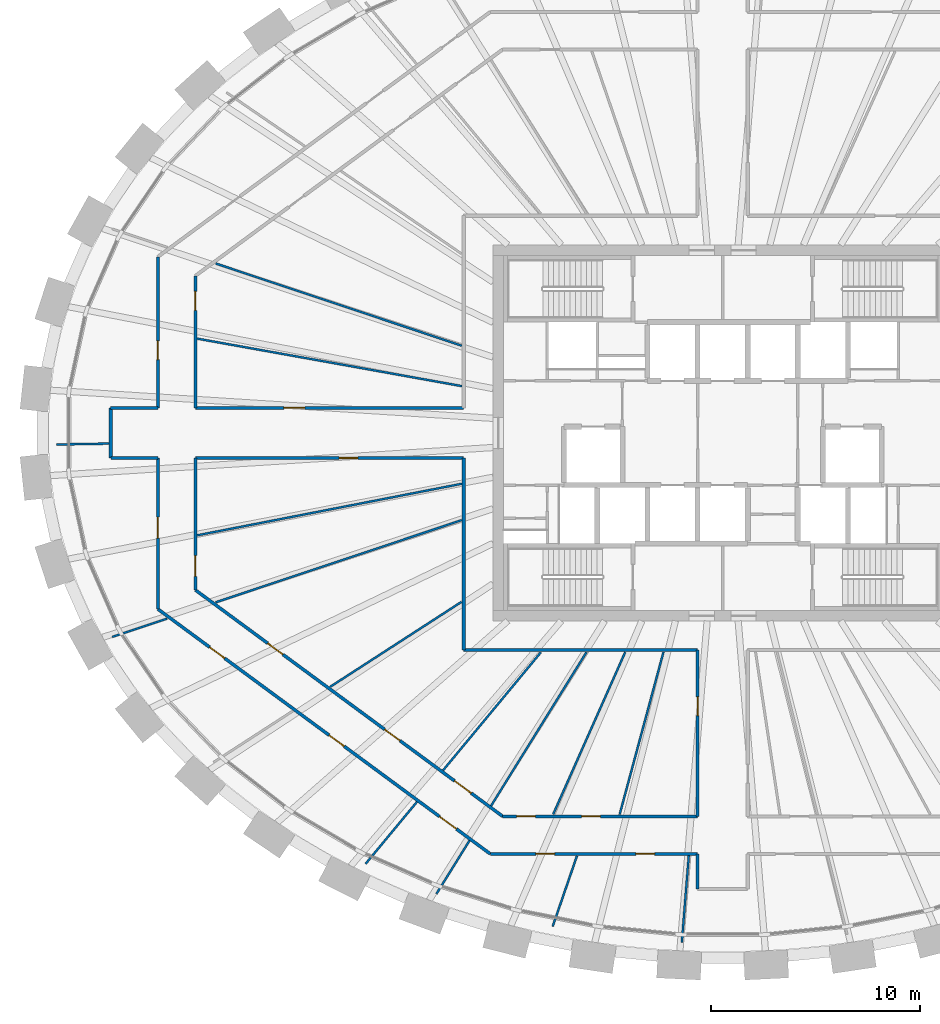
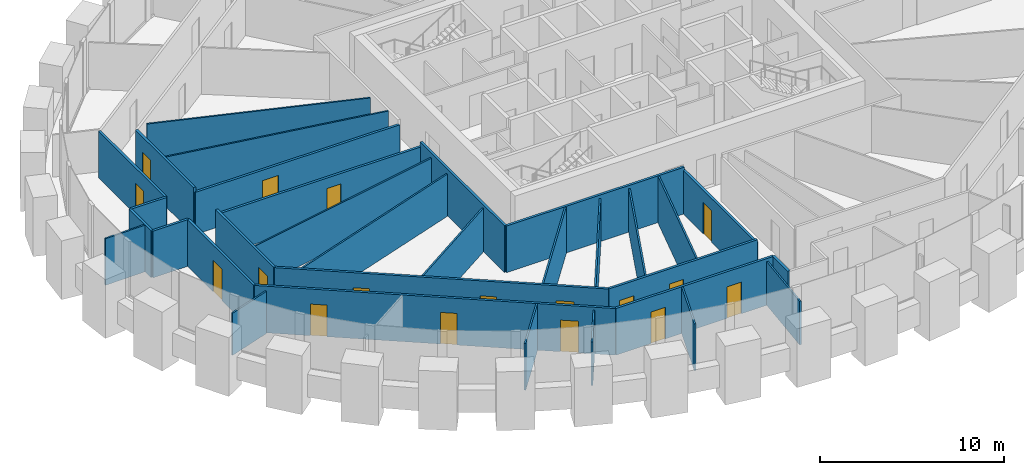
# One storey, part 6 of 12: 32 walls, 17 doors, 17 openings.
"""IFC4 building model written with IfcOpenShell, lengths in metres."""

from ifc_helpers import new_model, si_unit, direction, frame, frame_2d, origin, place, context, subcontext, project, spatial, rectangle, extrude, source, transform, mapped, material, layer, layer_set, type_object, element, fill, save


model = new_model("IFC4")

# Units and contexts
model_context = context("Model", 3, precision=1e-05, world=origin(), true_north=direction((0.0, 1.0)))
body_context = subcontext(model_context, "Body", "Model", "MODEL_VIEW")
ifc_project = project(units=[si_unit("LENGTHUNIT", "METRE"), si_unit("AREAUNIT", "SQUARE_METRE"), si_unit("VOLUMEUNIT", "CUBIC_METRE"), si_unit("PLANEANGLEUNIT", "RADIAN"), si_unit("MASSUNIT", "GRAM", prefix="KILO")], contexts=[model_context])

# Site, building, storey
site_placement = place(None, origin())
site = spatial("IfcSite", under=ifc_project, at=site_placement, CompositionType="ELEMENT")
building_placement = place(site_placement, origin())
building = spatial("IfcBuilding", under=site, at=building_placement, Name="Embergate Tower", CompositionType="ELEMENT")
storey_placement = place(building_placement, frame((0.0, 0.0, 265.60009765625)))
storey = spatial("IfcBuildingStorey", under=building, at=storey_placement, Name="L61", CompositionType="ELEMENT", Elevation=265.60009765625)

# Walls
ifc_material_1 = material(Name="Corridor wall dry-lined 150")
ifc_layer_1 = layer(ifc_material_1, 0.14990234375)
ifc_layer_set_1 = layer_set([ifc_layer_1], Name="Corridor wall dry-lined 150")
wall_type_1 = type_object("IfcWallType", Name="Corridor wall dry-lined 150", PredefinedType="PARTITIONING", material=ifc_layer_set_1)
shared_shape_1 = source(origin(), body_context, "Body", "SweptSolid", [
    extrude(rectangle(XDim=2.39990234375, YDim=0.14990234375, at=frame_2d((1.199951171875, 0.0))), origin(), (0.0, 0.0, 1.0), 3.099853515625),
])
wall_1_placement = place(storey_placement, frame((-29.300048828125, -1.199951171875, 0.0), z_axis=(0.0, 0.0, 1.0), x_axis=(0.0, 1.0, 0.0)))
element("IfcWall", 1, at=wall_1_placement, inside=storey, type_object=wall_type_1, Name="IP-2 wall", PredefinedType="PARTITIONING", context=body_context, shape_type="MappedRepresentation", body=[
    mapped(shared_shape_1, transform((0.0, 0.0, 0.0))),
])
shared_shape_2 = source(origin(), body_context, "Body", "SweptSolid", [
    extrude(rectangle(XDim=9.199951171875, YDim=0.14990234375, at=frame_2d((4.60009765625, 0.0))), origin(), (0.0, 0.0, 1.0), 3.099853515625),
])
wall_2_placement = place(storey_placement, frame((-12.39990234375, -10.39990234375, 0.0), z_axis=(0.0, 0.0, 1.0), x_axis=(0.0, 1.0, 0.0)))
element("IfcWall", 2, at=wall_2_placement, inside=storey, type_object=wall_type_1, Name="IP-2 wall", PredefinedType="PARTITIONING", context=body_context, shape_type="MappedRepresentation", body=[
    mapped(shared_shape_2, transform((0.0, 0.0, 0.0))),
])
shared_shape_3 = source(origin(), body_context, "Body", "SweptSolid", [
    extrude(rectangle(XDim=11.199951171875, YDim=0.14990234375, at=frame_2d((5.60009765625, 0.0))), origin(), (0.0, 0.0, 1.0), 3.099853515625),
])
wall_3_placement = place(storey_placement, frame((-12.39990234375, -10.39990234375, 0.0), z_axis=(0.0, 0.0, 1.0), x_axis=(1.0, 0.0, 0.0)))
element("IfcWall", 3, at=wall_3_placement, inside=storey, type_object=wall_type_1, Name="IP-2 wall", PredefinedType="PARTITIONING", context=body_context, shape_type="MappedRepresentation", body=[
    mapped(shared_shape_3, transform((0.0, 0.0, 0.0))),
])

# Wall, openings, doors
shared_shape_4 = source(origin(), body_context, "Body", "SweptSolid", [
    extrude(rectangle(XDim=19.77294921875, YDim=0.14990234375, at=frame_2d((9.886474609375, 0.0))), origin(), (0.0, 0.0, 1.0), 3.099853515625),
])
wall_4_placement = place(storey_placement, frame((-11.1259765625, -20.158935546875, 0.0), z_axis=(0.0, 0.0, 1.0), x_axis=(-0.805138380898, 0.593086998344, 0.0)))
wall_4 = element("IfcWall", 4, at=wall_4_placement, inside=storey, type_object=wall_type_1, Name="IP-2 wall", PredefinedType="PARTITIONING", context=body_context, shape_type="MappedRepresentation", body=[
    mapped(shared_shape_4, transform((0.0, 0.0, 0.0))),
])
shared_shape_5 = source(origin(), body_context, "Body", "SweptSolid", [
    extrude(rectangle(XDim=0.89990234375, YDim=2.10009765625, at=frame_2d((0.449951171875, 1.050048828125))), frame((0.0, 0.0849609375, 0.0), z_axis=(0.0, -1.0, 0.0), x_axis=(1.0, 0.0, 0.0)), (0.0, 0.0, 1.0), 0.169921875),
])
opening_1_placement = place(wall_4_placement, frame((15.79248046875, 0.0, 0.0)))
opening_1 = element("IfcOpeningElement", 5, at=opening_1_placement, cuts=wall_4, Name="Opening IF-1c", PredefinedType="OPENING", context=body_context, shape_type="MappedRepresentation", body=[
    mapped(shared_shape_5, transform((0.0, 0.0, 0.0))),
])
opening_2_placement = place(wall_4_placement, frame((8.685546875, 0.0, 0.0)))
opening_2 = element("IfcOpeningElement", 6, at=opening_2_placement, cuts=wall_4, Name="Opening IF-1c", PredefinedType="OPENING", context=body_context, shape_type="MappedRepresentation", body=[
    mapped(shared_shape_5, transform((0.0, 0.0, 0.0))),
])
shared_shape_6 = source(origin(), body_context, "Body", "SweptSolid", [
    extrude(rectangle(XDim=1.0, YDim=2.10009765625, at=frame_2d((0.5, 1.050048828125))), frame((0.0, 0.0849609375, 0.0), z_axis=(0.0, -1.0, 0.0), x_axis=(1.0, 0.0, 0.0)), (0.0, 0.0, 1.0), 0.169921875),
])
opening_3_placement = place(wall_4_placement, frame((2.017822265625, 0.0, 0.0)))
opening_3 = element("IfcOpeningElement", 7, at=opening_3_placement, cuts=wall_4, Name="Opening ID-2", PredefinedType="OPENING", context=body_context, shape_type="MappedRepresentation", body=[
    mapped(shared_shape_6, transform((0.0, 0.0, 0.0))),
])
ifc_material_2 = material(Name="Escape fire door 900")
door_type_1 = type_object("IfcDoorType", Name="Escape fire door 900", OperationType="SINGLE_SWING_LEFT", PredefinedType="DOOR", material=ifc_material_2)
shared_shape_7 = source(origin(), body_context, "Body", "SweptSolid", [
    extrude(rectangle(XDim=0.89990234375, YDim=2.10009765625, at=frame_2d((0.449951171875, 1.050048828125))), frame((0.0, 0.02490234375, 0.0), z_axis=(0.0, -1.0, 0.0), x_axis=(1.0, 0.0, 0.0)), (0.0, 0.0, 1.0), 0.050048828125),
])
door_1_placement = place(opening_1_placement, origin())
door_1 = element("IfcDoor", 8, at=door_1_placement, inside=storey, type_object=door_type_1, Name="IF-1 door", OperationType="SINGLE_SWING_LEFT", OverallHeight=2.10009765625, OverallWidth=0.89990234375, PredefinedType="DOOR", context=body_context, shape_type="MappedRepresentation", body=[
    mapped(shared_shape_7, transform((0.0, 0.0, 0.0))),
])
fill(opening_1, door_1)
door_2_placement = place(opening_2_placement, origin())
door_2 = element("IfcDoor", 9, at=door_2_placement, inside=storey, type_object=door_type_1, Name="IF-1 door", OperationType="SINGLE_SWING_LEFT", OverallHeight=2.10009765625, OverallWidth=0.89990234375, PredefinedType="DOOR", context=body_context, shape_type="MappedRepresentation", body=[
    mapped(shared_shape_7, transform((0.0, 0.0, 0.0))),
])
fill(opening_2, door_2)
ifc_material_3 = material(Name="Interior door 1000")
door_type_2 = type_object("IfcDoorType", Name="Interior door 1000", OperationType="SINGLE_SWING_LEFT", PredefinedType="DOOR", material=ifc_material_3)
shared_shape_8 = source(origin(), body_context, "Body", "SweptSolid", [
    extrude(rectangle(XDim=1.0, YDim=2.10009765625, at=frame_2d((0.5, 1.050048828125))), frame((0.0, 0.02490234375, 0.0), z_axis=(0.0, -1.0, 0.0), x_axis=(1.0, 0.0, 0.0)), (0.0, 0.0, 1.0), 0.050048828125),
])
door_3_placement = place(opening_3_placement, origin())
door_3 = element("IfcDoor", 10, at=door_3_placement, inside=storey, type_object=door_type_2, Name="ID-2 door", OperationType="SINGLE_SWING_LEFT", OverallHeight=2.10009765625, OverallWidth=1.0, PredefinedType="DOOR", context=body_context, shape_type="MappedRepresentation", body=[
    mapped(shared_shape_8, transform((0.0, 0.0, 0.0))),
])
fill(opening_3, door_3)

shared_shape_9 = source(origin(), body_context, "Body", "SweptSolid", [
    extrude(rectangle(XDim=18.27197265625, YDim=0.14990234375, at=frame_2d((9.135986328125, 0.0))), origin(), (0.0, 0.0, 1.0), 3.099853515625),
])
wall_5_placement = place(storey_placement, frame((-25.24609375, -7.52294921875, 0.0), z_axis=(0.0, 0.0, 1.0), x_axis=(0.805176050135, -0.593035857507, 0.0)))
wall_5 = element("IfcWall", 11, at=wall_5_placement, inside=storey, type_object=wall_type_1, Name="IP-2 wall", PredefinedType="PARTITIONING", context=body_context, shape_type="MappedRepresentation", body=[
    mapped(shared_shape_9, transform((0.0, 0.0, 0.0))),
])
opening_4_placement = place(wall_5_placement, frame((4.302734375, 0.0, 0.0)))
opening_4 = element("IfcOpeningElement", 12, at=opening_4_placement, cuts=wall_5, Name="Opening IF-1c", PredefinedType="OPENING", context=body_context, shape_type="MappedRepresentation", body=[
    mapped(shared_shape_5, transform((0.0, 0.0, 0.0))),
])
opening_5_placement = place(wall_5_placement, frame((11.257080078125, 0.0, 0.0)))
opening_5 = element("IfcOpeningElement", 13, at=opening_5_placement, cuts=wall_5, Name="Opening IF-1c", PredefinedType="OPENING", context=body_context, shape_type="MappedRepresentation", body=[
    mapped(shared_shape_5, transform((0.0, 0.0, 0.0))),
])
opening_6_placement = place(wall_5_placement, frame((15.406005859375, 0.0, 0.0)))
opening_6 = element("IfcOpeningElement", 14, at=opening_6_placement, cuts=wall_5, Name="Opening ID-2", PredefinedType="OPENING", context=body_context, shape_type="MappedRepresentation", body=[
    mapped(shared_shape_6, transform((0.0, 0.0, 0.0))),
])
door_4_placement = place(opening_4_placement, origin())
door_4 = element("IfcDoor", 15, at=door_4_placement, inside=storey, type_object=door_type_1, Name="IF-1 door", OperationType="SINGLE_SWING_RIGHT", OverallHeight=2.10009765625, OverallWidth=0.89990234375, PredefinedType="DOOR", context=body_context, shape_type="MappedRepresentation", body=[
    mapped(shared_shape_7, transform((0.0, 0.0, 0.0))),
])
fill(opening_4, door_4)
door_5_placement = place(opening_5_placement, origin())
door_5 = element("IfcDoor", 16, at=door_5_placement, inside=storey, type_object=door_type_1, Name="IF-1 door", OperationType="SINGLE_SWING_RIGHT", OverallHeight=2.10009765625, OverallWidth=0.89990234375, PredefinedType="DOOR", context=body_context, shape_type="MappedRepresentation", body=[
    mapped(shared_shape_7, transform((0.0, 0.0, 0.0))),
])
fill(opening_5, door_5)
door_6_placement = place(opening_6_placement, origin())
door_6 = element("IfcDoor", 17, at=door_6_placement, inside=storey, type_object=door_type_2, Name="ID-2 door", OperationType="SINGLE_SWING_RIGHT", OverallHeight=2.10009765625, OverallWidth=1.0, PredefinedType="DOOR", context=body_context, shape_type="MappedRepresentation", body=[
    mapped(shared_shape_8, transform((0.0, 0.0, 0.0))),
])
fill(opening_6, door_6)

ifc_material_4 = material(Name="Corridor wall dry-lined 150 wet")
ifc_layer_2 = layer(ifc_material_4, 0.14990234375)
ifc_layer_set_2 = layer_set([ifc_layer_2], Name="Corridor wall dry-lined 150 wet")
wall_type_2 = type_object("IfcWallType", Name="Corridor wall dry-lined 150 wet", PredefinedType="PLUMBINGWALL", material=ifc_layer_set_2)
shared_shape_10 = source(origin(), body_context, "Body", "SweptSolid", [
    extrude(rectangle(XDim=9.926025390625, YDim=0.14990234375, at=frame_2d((4.962890625, 0.0))), origin(), (0.0, 0.0, 1.0), 3.099853515625),
])
wall_6_placement = place(storey_placement, frame((-11.1259765625, -20.158935546875, 0.0), z_axis=(0.0, 0.0, 1.0), x_axis=(1.0, 0.0, 0.0)))
wall_6 = element("IfcWall", 18, at=wall_6_placement, inside=storey, type_object=wall_type_2, Name="IP-2 wall", PredefinedType="PLUMBINGWALL", context=body_context, shape_type="MappedRepresentation", body=[
    mapped(shared_shape_10, transform((0.0, 0.0, 0.0))),
])
opening_7_placement = place(wall_6_placement, frame((2.1806640625, 0.0, 0.0)))
opening_7 = element("IfcOpeningElement", 19, at=opening_7_placement, cuts=wall_6, Name="Opening IF-1c", PredefinedType="OPENING", context=body_context, shape_type="MappedRepresentation", body=[
    mapped(shared_shape_5, transform((0.0, 0.0, 0.0))),
])
opening_8_placement = place(wall_6_placement, frame((6.970703125, 0.0, 0.0)))
opening_8 = element("IfcOpeningElement", 20, at=opening_8_placement, cuts=wall_6, Name="Opening IF-1c", PredefinedType="OPENING", context=body_context, shape_type="MappedRepresentation", body=[
    mapped(shared_shape_5, transform((0.0, 0.0, 0.0))),
])
door_7_placement = place(opening_7_placement, origin())
door_7 = element("IfcDoor", 21, at=door_7_placement, inside=storey, type_object=door_type_1, Name="IF-1 door", OperationType="SINGLE_SWING_RIGHT", OverallHeight=2.10009765625, OverallWidth=0.89990234375, PredefinedType="DOOR", context=body_context, shape_type="MappedRepresentation", body=[
    mapped(shared_shape_7, transform((0.0, 0.0, 0.0))),
])
fill(opening_7, door_7)
door_8_placement = place(opening_8_placement, origin())
door_8 = element("IfcDoor", 22, at=door_8_placement, inside=storey, type_object=door_type_1, Name="IF-1 door", OperationType="SINGLE_SWING_LEFT", OverallHeight=2.10009765625, OverallWidth=0.89990234375, PredefinedType="DOOR", context=body_context, shape_type="MappedRepresentation", body=[
    mapped(shared_shape_7, transform((0.0, 0.0, 0.0))),
])
fill(opening_8, door_8)

# Wall
shared_shape_11 = source(origin(), body_context, "Body", "SweptSolid", [
    extrude(rectangle(XDim=1.68701171875, YDim=0.14990234375, at=frame_2d((0.843505859375, 0.0))), origin(), (0.0, 0.0, 1.0), 3.099853515625),
])
wall_7_placement = place(storey_placement, frame((-1.199951171875, -21.845947265625, 0.0), z_axis=(0.0, 0.0, 1.0), x_axis=(0.0, 1.0, 0.0)))
element("IfcWall", 23, at=wall_7_placement, inside=storey, type_object=wall_type_2, Name="IP-2 wall", PredefinedType="PLUMBINGWALL", context=body_context, shape_type="MappedRepresentation", body=[
    mapped(shared_shape_11, transform((0.0, 0.0, 0.0))),
])

# Wall, openings, doors
shared_shape_12 = source(origin(), body_context, "Body", "SweptSolid", [
    extrude(rectangle(XDim=9.333984375, YDim=0.14990234375, at=frame_2d((4.6669921875, 0.0))), origin(), (0.0, 0.0, 1.0), 3.099853515625),
])
wall_8_placement = place(storey_placement, frame((-10.533935546875, -18.35888671875, 0.0), z_axis=(0.0, 0.0, 1.0), x_axis=(1.0, 0.0, 0.0)))
wall_8 = element("IfcWall", 24, at=wall_8_placement, inside=storey, type_object=wall_type_2, Name="IP-2 wall", PredefinedType="PLUMBINGWALL", context=body_context, shape_type="MappedRepresentation", body=[
    mapped(shared_shape_12, transform((0.0, 0.0, 0.0))),
])
opening_9_placement = place(wall_8_placement, frame((0.667236328125, 0.0, 0.0)))
opening_9 = element("IfcOpeningElement", 25, at=opening_9_placement, cuts=wall_8, Name="Opening IF-1c", PredefinedType="OPENING", context=body_context, shape_type="MappedRepresentation", body=[
    mapped(shared_shape_5, transform((0.0, 0.0, 0.0))),
])
opening_10_placement = place(wall_8_placement, frame((3.78125, 0.0, 0.0)))
opening_10 = element("IfcOpeningElement", 26, at=opening_10_placement, cuts=wall_8, Name="Opening IF-1c", PredefinedType="OPENING", context=body_context, shape_type="MappedRepresentation", body=[
    mapped(shared_shape_5, transform((0.0, 0.0, 0.0))),
])
door_9_placement = place(opening_9_placement, origin())
door_9 = element("IfcDoor", 27, at=door_9_placement, inside=storey, type_object=door_type_1, Name="IF-1 door", OperationType="SINGLE_SWING_LEFT", OverallHeight=2.10009765625, OverallWidth=0.89990234375, PredefinedType="DOOR", context=body_context, shape_type="MappedRepresentation", body=[
    mapped(shared_shape_7, transform((0.0, 0.0, 0.0))),
])
fill(opening_9, door_9)
door_10_placement = place(opening_10_placement, origin())
door_10 = element("IfcDoor", 28, at=door_10_placement, inside=storey, type_object=door_type_1, Name="IF-1 door", OperationType="SINGLE_SWING_LEFT", OverallHeight=2.10009765625, OverallWidth=0.89990234375, PredefinedType="DOOR", context=body_context, shape_type="MappedRepresentation", body=[
    mapped(shared_shape_7, transform((0.0, 0.0, 0.0))),
])
fill(opening_10, door_10)

# Wall, opening, door
shared_shape_13 = source(origin(), body_context, "Body", "SweptSolid", [
    extrude(rectangle(XDim=7.958984375, YDim=0.14990234375, at=frame_2d((3.9794921875, 0.0))), origin(), (0.0, 0.0, 1.0), 2.89990234375),
])
wall_9_placement = place(storey_placement, frame((-1.199951171875, -18.35888671875, 0.0), z_axis=(0.0, 0.0, 1.0), x_axis=(0.0, 1.0, 0.0)))
wall_9 = element("IfcWall", 29, at=wall_9_placement, inside=storey, type_object=wall_type_2, Name="IP-2 wall", PredefinedType="PLUMBINGWALL", context=body_context, shape_type="MappedRepresentation", body=[
    mapped(shared_shape_13, transform((0.0, 0.0, 0.0))),
])
opening_11_placement = place(wall_9_placement, frame((4.8212890625, 0.0, 0.0)))
opening_11 = element("IfcOpeningElement", 30, at=opening_11_placement, cuts=wall_9, Name="Opening IF-1c", PredefinedType="OPENING", context=body_context, shape_type="MappedRepresentation", body=[
    mapped(shared_shape_5, transform((0.0, 0.0, 0.0))),
])
door_11_placement = place(opening_11_placement, origin())
door_11 = element("IfcDoor", 31, at=door_11_placement, inside=storey, type_object=door_type_1, Name="IF-1 door", OperationType="SINGLE_SWING_LEFT", OverallHeight=2.10009765625, OverallWidth=0.89990234375, PredefinedType="DOOR", context=body_context, shape_type="MappedRepresentation", body=[
    mapped(shared_shape_7, transform((0.0, 0.0, 0.0))),
])
fill(opening_11, door_11)

shared_shape_14 = source(origin(), body_context, "Body", "SweptSolid", [
    extrude(rectangle(XDim=7.23193359375, YDim=0.14990234375, at=frame_2d((3.615966796875, 0.0))), origin(), (0.0, 0.0, 1.0), 3.099853515625),
])
wall_10_placement = place(storey_placement, frame((-27.0458984375, 1.199951171875, 0.0), z_axis=(0.0, 0.0, 1.0), x_axis=(0.0, 1.0, 0.0)))
wall_10 = element("IfcWall", 32, at=wall_10_placement, inside=storey, type_object=wall_type_1, Name="IP-2 wall", PredefinedType="PARTITIONING", context=body_context, shape_type="MappedRepresentation", body=[
    mapped(shared_shape_14, transform((0.0, 0.0, 0.0))),
])
opening_12_placement = place(wall_10_placement, frame((2.305908203125, 0.0, 0.0)))
opening_12 = element("IfcOpeningElement", 33, at=opening_12_placement, cuts=wall_10, Name="Opening IF-1c", PredefinedType="OPENING", context=body_context, shape_type="MappedRepresentation", body=[
    mapped(shared_shape_5, transform((0.0, 0.0, 0.0))),
])
door_12_placement = place(opening_12_placement, origin())
door_12 = element("IfcDoor", 34, at=door_12_placement, inside=storey, type_object=door_type_1, Name="IF-1 door", OperationType="SINGLE_SWING_RIGHT", OverallHeight=2.10009765625, OverallWidth=0.89990234375, PredefinedType="DOOR", context=body_context, shape_type="MappedRepresentation", body=[
    mapped(shared_shape_7, transform((0.0, 0.0, 0.0))),
])
fill(opening_12, door_12)

wall_11_placement = place(storey_placement, frame((-27.0458984375, -8.431884765625, 0.0), z_axis=(0.0, 0.0, 1.0), x_axis=(0.0, 1.0, 0.0)))
wall_11 = element("IfcWall", 35, at=wall_11_placement, inside=storey, type_object=wall_type_1, Name="IP-2 wall", PredefinedType="PARTITIONING", context=body_context, shape_type="MappedRepresentation", body=[
    mapped(shared_shape_14, transform((0.0, 0.0, 0.0))),
])
opening_13_placement = place(wall_11_placement, frame((3.397216796875, 0.0, 0.0)))
opening_13 = element("IfcOpeningElement", 36, at=opening_13_placement, cuts=wall_11, Name="Opening ID-2", PredefinedType="OPENING", context=body_context, shape_type="MappedRepresentation", body=[
    mapped(shared_shape_6, transform((0.0, 0.0, 0.0))),
])
door_13_placement = place(opening_13_placement, origin())
door_13 = element("IfcDoor", 37, at=door_13_placement, inside=storey, type_object=door_type_2, Name="ID-2 door", OperationType="SINGLE_SWING_LEFT", OverallHeight=2.10009765625, OverallWidth=1.0, PredefinedType="DOOR", context=body_context, shape_type="MappedRepresentation", body=[
    mapped(shared_shape_8, transform((0.0, 0.0, 0.0))),
])
fill(opening_13, door_13)

# Walls
shared_shape_15 = source(origin(), body_context, "Body", "SweptSolid", [
    extrude(rectangle(XDim=2.254150390625, YDim=0.14990234375, at=frame_2d((1.126953125, 0.0))), origin(), (0.0, 0.0, 1.0), 3.099853515625),
])
for number, where, z_axis, x_axis, name in (
    (38, (-29.300048828125, 1.199951171875, 0.0), (0.0, 0.0, 1.0), (1.0, 0.0, 0.0), "IP-2 wall"),
    (39, (-27.0458984375, -1.199951171875, 0.0), (0.0, 0.0, 1.0), (-1.0, 0.0, 0.0), "IP-2 wall"),
):
    element("IfcWall", number, at=place(storey_placement, frame(where, z_axis=z_axis, x_axis=x_axis)), inside=storey, type_object=wall_type_1, Name=name, PredefinedType="PARTITIONING", context=body_context, shape_type="MappedRepresentation", body=[
        mapped(shared_shape_15, transform((0.0, 0.0, 0.0))),
    ])

# Wall, opening, door
shared_shape_16 = source(origin(), body_context, "Body", "SweptSolid", [
    extrude(rectangle(XDim=6.322998046875, YDim=0.14990234375, at=frame_2d((3.16162109375, 0.0))), origin(), (0.0, 0.0, 1.0), 3.099853515625),
])
wall_12_placement = place(storey_placement, frame((-25.24609375, -1.199951171875, 0.0), z_axis=(0.0, 0.0, 1.0), x_axis=(0.0, -1.0, 0.0)))
wall_12 = element("IfcWall", 40, at=wall_12_placement, inside=storey, type_object=wall_type_1, Name="IP-2 wall", PredefinedType="PARTITIONING", context=body_context, shape_type="MappedRepresentation", body=[
    mapped(shared_shape_16, transform((0.0, 0.0, 0.0))),
])
opening_14_placement = place(wall_12_placement, frame((4.6708984375, 0.0, 0.0)))
opening_14 = element("IfcOpeningElement", 41, at=opening_14_placement, cuts=wall_12, Name="Opening ID-2", PredefinedType="OPENING", context=body_context, shape_type="MappedRepresentation", body=[
    mapped(shared_shape_6, transform((0.0, 0.0, 0.0))),
])
door_14_placement = place(opening_14_placement, origin())
door_14 = element("IfcDoor", 42, at=door_14_placement, inside=storey, type_object=door_type_2, Name="ID-2 door", OperationType="SINGLE_SWING_LEFT", OverallHeight=2.10009765625, OverallWidth=1.0, PredefinedType="DOOR", context=body_context, shape_type="MappedRepresentation", body=[
    mapped(shared_shape_8, transform((0.0, 0.0, 0.0))),
])
fill(opening_14, door_14)

wall_13_placement = place(storey_placement, frame((-25.24609375, 1.199951171875, 0.0), z_axis=(0.0, 0.0, 1.0), x_axis=(0.0, 1.0, 0.0)))
wall_13 = element("IfcWall", 43, at=wall_13_placement, inside=storey, type_object=wall_type_1, Name="IP-2 wall", PredefinedType="PARTITIONING", context=body_context, shape_type="MappedRepresentation", body=[
    mapped(shared_shape_16, transform((0.0, 0.0, 0.0))),
])
opening_15_placement = place(wall_13_placement, frame((4.674072265625, 0.0, 0.0)))
opening_15 = element("IfcOpeningElement", 44, at=opening_15_placement, cuts=wall_13, Name="Opening IF-1c", PredefinedType="OPENING", context=body_context, shape_type="MappedRepresentation", body=[
    mapped(shared_shape_5, transform((0.0, 0.0, 0.0))),
])
door_15_placement = place(opening_15_placement, origin())
door_15 = element("IfcDoor", 45, at=door_15_placement, inside=storey, type_object=door_type_1, Name="IF-1 door", OperationType="SINGLE_SWING_LEFT", OverallHeight=2.10009765625, OverallWidth=0.89990234375, PredefinedType="DOOR", context=body_context, shape_type="MappedRepresentation", body=[
    mapped(shared_shape_7, transform((0.0, 0.0, 0.0))),
])
fill(opening_15, door_15)

# Walls
ifc_material_5 = material(Name="Partition dry-lined 100")
ifc_layer_3 = layer(ifc_material_5, 0.10009765625)
ifc_layer_set_3 = layer_set([ifc_layer_3], Name="Partition dry-lined 100")
wall_type_3 = type_object("IfcWallType", Name="Partition dry-lined 100", PredefinedType="PARTITIONING", material=ifc_layer_set_3)
shared_shape_17 = source(origin(), body_context, "Body", "SweptSolid", [
    extrude(rectangle(XDim=3.8505859375, YDim=0.10009765625, at=frame_2d((1.92529296875, 0.0))), origin(), (0.0, 0.0, 1.0), 3.099853515625),
])
wall_14_placement = place(storey_placement, frame((-14.637939453125, -17.6650390625, 0.0), z_axis=(0.0, 0.0, 1.0), x_axis=(-0.638086604926, -0.769964599585, 0.0)))
element("IfcWall", 46, at=wall_14_placement, inside=storey, type_object=wall_type_3, Name="IP-1 wall", PredefinedType="PARTITIONING", context=body_context, shape_type="MappedRepresentation", body=[
    mapped(shared_shape_17, transform((0.0, 0.0, 0.0))),
])
ifc_material_6 = material(Name="Partition dry-lined 100 wet")
ifc_layer_4 = layer(ifc_material_6, 0.10009765625)
ifc_layer_set_4 = layer_set([ifc_layer_4], Name="Partition dry-lined 100 wet")
wall_type_4 = type_object("IfcWallType", Name="Partition dry-lined 100 wet", PredefinedType="PLUMBINGWALL", material=ifc_layer_set_4)
shared_shape_18 = source(origin(), body_context, "Body", "SweptSolid", [
    extrude(rectangle(XDim=3.001953125, YDim=0.10009765625, at=frame_2d((1.5009765625, 0.0))), origin(), (0.0, 0.0, 1.0), 2.89990234375),
])
wall_15_placement = place(storey_placement, frame((-12.12109375, -19.51904296875, 0.0), z_axis=(0.0, 0.0, 1.0), x_axis=(-0.527650303737, -0.84946168658, 0.0)))
element("IfcWall", 47, at=wall_15_placement, inside=storey, type_object=wall_type_4, Name="IP-1 wall", PredefinedType="PLUMBINGWALL", context=body_context, shape_type="MappedRepresentation", body=[
    mapped(shared_shape_18, transform((0.0, 0.0, 0.0))),
])
shared_shape_19 = source(origin(), body_context, "Body", "SweptSolid", [
    extrude(rectangle(XDim=7.494873046875, YDim=0.10009765625, at=frame_2d((3.74755859375, 0.0))), origin(), (0.0, 0.0, 1.0), 2.89990234375),
])
wall_16_placement = place(storey_placement, frame((-12.501953125, -8.087890625, 0.0), z_axis=(0.0, 0.0, 1.0), x_axis=(-0.83962346299, -0.543168887545, 0.0)))
element("IfcWall", 48, at=wall_16_placement, inside=storey, type_object=wall_type_3, Name="IP-1 wall", PredefinedType="PARTITIONING", context=body_context, shape_type="MappedRepresentation", body=[
    mapped(shared_shape_19, transform((0.0, 0.0, 0.0))),
])
shared_shape_20 = source(origin(), body_context, "Body", "SweptSolid", [
    extrude(rectangle(XDim=7.34326171875, YDim=0.10009765625, at=frame_2d((3.671630859375, 0.0))), origin(), (0.0, 0.0, 1.0), 3.099853515625),
])
wall_17_placement = place(storey_placement, frame((-8.7060546875, -10.507080078125, 0.0), z_axis=(0.0, 0.0, 1.0), x_axis=(-0.638135008944, -0.769924483543, 0.0)))
element("IfcWall", 49, at=wall_17_placement, inside=storey, type_object=wall_type_3, Name="IP-1 wall", PredefinedType="PARTITIONING", context=body_context, shape_type="MappedRepresentation", body=[
    mapped(shared_shape_20, transform((0.0, 0.0, 0.0))),
])
shared_shape_21 = source(origin(), body_context, "Body", "SweptSolid", [
    extrude(rectangle(XDim=8.658935546875, YDim=0.10009765625, at=frame_2d((4.32958984375, 0.0))), origin(), (0.0, 0.0, 1.0), 2.89990234375),
])
wall_18_placement = place(storey_placement, frame((-6.52099609375, -10.5009765625, 0.0), z_axis=(0.0, 0.0, 1.0), x_axis=(-0.527558664612, -0.849518602146, 0.0)))
element("IfcWall", 50, at=wall_18_placement, inside=storey, type_object=wall_type_4, Name="IP-1 wall", PredefinedType="PLUMBINGWALL", context=body_context, shape_type="MappedRepresentation", body=[
    mapped(shared_shape_21, transform((0.0, 0.0, 0.0))),
])
shared_shape_22 = source(origin(), body_context, "Body", "SweptSolid", [
    extrude(rectangle(XDim=3.57568359375, YDim=0.10009765625, at=frame_2d((1.787841796875, 0.0))), origin(), (0.0, 0.0, 1.0), 3.099853515625),
])
wall_19_placement = place(storey_placement, frame((-6.97509765625, -20.25, 0.0), z_axis=(0.0, 0.0, 1.0), x_axis=(-0.325470910557, -0.945552053766, 0.0)))
element("IfcWall", 51, at=wall_19_placement, inside=storey, type_object=wall_type_4, Name="IP-1 wall", PredefinedType="PLUMBINGWALL", context=body_context, shape_type="MappedRepresentation", body=[
    mapped(shared_shape_22, transform((0.0, 0.0, 0.0))),
])
shared_shape_23 = source(origin(), body_context, "Body", "SweptSolid", [
    extrude(rectangle(XDim=4.177490234375, YDim=0.10009765625, at=frame_2d((2.0888671875, 0.0))), origin(), (0.0, 0.0, 1.0), 2.89990234375),
])
wall_20_placement = place(storey_placement, frame((-1.62109375, -20.23388671875, 0.0), z_axis=(0.0, 0.0, 1.0), x_axis=(-0.079949630729, -0.996798904768, 0.0)))
element("IfcWall", 52, at=wall_20_placement, inside=storey, type_object=wall_type_4, Name="IP-1 wall", PredefinedType="PLUMBINGWALL", context=body_context, shape_type="MappedRepresentation", body=[
    mapped(shared_shape_23, transform((0.0, 0.0, 0.0))),
])
shared_shape_24 = source(origin(), body_context, "Body", "SweptSolid", [
    extrude(rectangle(XDim=8.501220703125, YDim=0.10009765625, at=frame_2d((4.25048828125, 0.0))), origin(), (0.0, 0.0, 1.0), 2.89990234375),
])
wall_21_placement = place(storey_placement, frame((-4.6650390625, -10.4951171875, 0.0), z_axis=(0.0, 0.0, 1.0), x_axis=(-0.406050532345, -0.913850625202, 0.0)))
element("IfcWall", 53, at=wall_21_placement, inside=storey, type_object=wall_type_4, Name="IP-1 wall", PredefinedType="PLUMBINGWALL", context=body_context, shape_type="MappedRepresentation", body=[
    mapped(shared_shape_24, transform((0.0, 0.0, 0.0))),
])
shared_shape_25 = source(origin(), body_context, "Body", "SweptSolid", [
    extrude(rectangle(XDim=8.0615234375, YDim=0.10009765625, at=frame_2d((4.03076171875, 0.0))), origin(), (0.0, 0.0, 1.0), 3.099853515625),
])
wall_22_placement = place(storey_placement, frame((-2.83203125, -10.488037109375, 0.0), z_axis=(0.0, 0.0, 1.0), x_axis=(-0.260628310505, -0.965439218057, 0.0)))
element("IfcWall", 54, at=wall_22_placement, inside=storey, type_object=wall_type_4, Name="IP-1 wall", PredefinedType="PLUMBINGWALL", context=body_context, shape_type="MappedRepresentation", body=[
    mapped(shared_shape_25, transform((0.0, 0.0, 0.0))),
])
shared_shape_26 = source(origin(), body_context, "Body", "SweptSolid", [
    extrude(rectangle(XDim=2.513427734375, YDim=0.10009765625, at=frame_2d((1.2568359375, 0.0))), origin(), (0.0, 0.0, 1.0), 3.099853515625),
])
wall_23_placement = place(storey_placement, frame((-29.375, -0.510986328125, 0.0), z_axis=(0.0, 0.0, 1.0), x_axis=(-0.999847126759, -0.017484939553, 0.0)))
element("IfcWall", 55, at=wall_23_placement, inside=storey, type_object=wall_type_3, Name="IP-1 wall", PredefinedType="PARTITIONING", context=body_context, shape_type="MappedRepresentation", body=[
    mapped(shared_shape_26, transform((0.0, 0.0, 0.0))),
])
shared_shape_27 = source(origin(), body_context, "Body", "SweptSolid", [
    extrude(rectangle(XDim=12.880859375, YDim=0.10009765625, at=frame_2d((6.4404296875, 0.0))), origin(), (0.0, 0.0, 1.0), 3.099853515625),
])
wall_24_placement = place(storey_placement, frame((-12.48388671875, 2.240966796875, 0.0), z_axis=(0.0, 0.0, 1.0), x_axis=(-0.984277037504, 0.176631575438, 0.0)))
element("IfcWall", 56, at=wall_24_placement, inside=storey, type_object=wall_type_3, Name="IP-1 wall", PredefinedType="PARTITIONING", context=body_context, shape_type="MappedRepresentation", body=[
    mapped(shared_shape_27, transform((0.0, 0.0, 0.0))),
])

# Wall, opening, door
shared_shape_28 = source(origin(), body_context, "Body", "SweptSolid", [
    extrude(rectangle(XDim=12.84619140625, YDim=0.14990234375, at=frame_2d((6.423095703125, 0.0))), origin(), (0.0, 0.0, 1.0), 2.7998046875),
])
wall_25_placement = place(storey_placement, frame((-12.39990234375, -1.199951171875, 0.0), z_axis=(0.0, 0.0, 1.0), x_axis=(-1.0, 0.0, 0.0)))
wall_25 = element("IfcWall", 57, at=wall_25_placement, inside=storey, type_object=wall_type_1, Name="IP-2 wall", PredefinedType="PARTITIONING", context=body_context, shape_type="MappedRepresentation", body=[
    mapped(shared_shape_28, transform((0.0, 0.0, 0.0))),
])
opening_16_placement = place(wall_25_placement, frame((5.06494140625, 0.0, 0.0)))
opening_16 = element("IfcOpeningElement", 58, at=opening_16_placement, cuts=wall_25, Name="Opening IF-1c", PredefinedType="OPENING", context=body_context, shape_type="MappedRepresentation", body=[
    mapped(shared_shape_5, transform((0.0, 0.0, 0.0))),
])
door_16_placement = place(opening_16_placement, origin())
door_16 = element("IfcDoor", 59, at=door_16_placement, inside=storey, type_object=door_type_1, Name="IF-1 door", OperationType="SINGLE_SWING_LEFT", OverallHeight=2.10009765625, OverallWidth=0.89990234375, PredefinedType="DOOR", context=body_context, shape_type="MappedRepresentation", body=[
    mapped(shared_shape_7, transform((0.0, 0.0, 0.0))),
])
fill(opening_16, door_16)

wall_26_placement = place(storey_placement, frame((-25.24609375, 1.199951171875, 0.0), z_axis=(0.0, 0.0, 1.0), x_axis=(1.0, 0.0, 0.0)))
wall_26 = element("IfcWall", 60, at=wall_26_placement, inside=storey, type_object=wall_type_1, Name="IP-2 wall", PredefinedType="PARTITIONING", context=body_context, shape_type="MappedRepresentation", body=[
    mapped(shared_shape_28, transform((0.0, 0.0, 0.0))),
])
opening_17_placement = place(wall_26_placement, frame((4.23583984375, 0.0, 0.0)))
opening_17 = element("IfcOpeningElement", 61, at=opening_17_placement, cuts=wall_26, Name="Opening ID-2", PredefinedType="OPENING", context=body_context, shape_type="MappedRepresentation", body=[
    mapped(shared_shape_6, transform((0.0, 0.0, 0.0))),
])
door_17_placement = place(opening_17_placement, origin())
door_17 = element("IfcDoor", 62, at=door_17_placement, inside=storey, type_object=door_type_2, Name="ID-2 door", OperationType="SINGLE_SWING_RIGHT", OverallHeight=2.10009765625, OverallWidth=1.0, PredefinedType="DOOR", context=body_context, shape_type="MappedRepresentation", body=[
    mapped(shared_shape_8, transform((0.0, 0.0, 0.0))),
])
fill(opening_17, door_17)

# Walls
shared_shape_29 = source(origin(), body_context, "Body", "SweptSolid", [
    extrude(rectangle(XDim=2.776123046875, YDim=0.10009765625, at=frame_2d((1.38818359375, 0.0))), origin(), (0.0, 0.0, 1.0), 2.7998046875),
])
wall_27_placement = place(storey_placement, frame((-26.59912109375, -8.889892578125, 0.0), z_axis=(0.0, 0.0, 1.0), x_axis=(-0.948410312692, -0.317045546852, 0.0)))
element("IfcWall", 63, at=wall_27_placement, inside=storey, type_object=wall_type_3, Name="IP-1 wall", PredefinedType="PARTITIONING", context=body_context, shape_type="MappedRepresentation", body=[
    mapped(shared_shape_29, transform((0.0, 0.0, 0.0))),
])
shared_shape_30 = source(origin(), body_context, "Body", "SweptSolid", [
    extrude(rectangle(XDim=12.42041015625, YDim=0.10009765625, at=frame_2d((6.210205078125, 0.0))), origin(), (0.0, 0.0, 1.0), 2.7998046875),
])
for number, where, z_axis, x_axis, name in (
    (64, (-12.490966796875, -4.175048828125, 0.0), (0.0, 0.0, 1.0), (-0.948433368171, -0.316976570333, 0.0), "IP-1 wall"),
    (65, (-12.490966796875, 4.175048828125, 0.0), (0.0, 0.0, 1.0), (-0.948433368171, 0.316976570333, 0.0), "IP-1 wall"),
):
    element("IfcWall", number, at=place(storey_placement, frame(where, z_axis=z_axis, x_axis=x_axis)), inside=storey, type_object=wall_type_3, Name=name, PredefinedType="PARTITIONING", context=body_context, shape_type="MappedRepresentation", body=[
        mapped(shared_shape_30, transform((0.0, 0.0, 0.0))),
    ])
shared_shape_31 = source(origin(), body_context, "Body", "SweptSolid", [
    extrude(rectangle(XDim=12.914306640625, YDim=0.10009765625, at=frame_2d((6.45703125, 0.0))), origin(), (0.0, 0.0, 1.0), 2.7998046875),
])
wall_28_placement = place(storey_placement, frame((-12.485107421875, -2.43310546875, 0.0), z_axis=(0.0, 0.0, 1.0), x_axis=(-0.981539355242, -0.191260278447, 0.0)))
element("IfcWall", 66, at=wall_28_placement, inside=storey, type_object=wall_type_3, Name="IP-1 wall", PredefinedType="PARTITIONING", context=body_context, shape_type="MappedRepresentation", body=[
    mapped(shared_shape_31, transform((0.0, 0.0, 0.0))),
])

save(model, "model.ifc")
